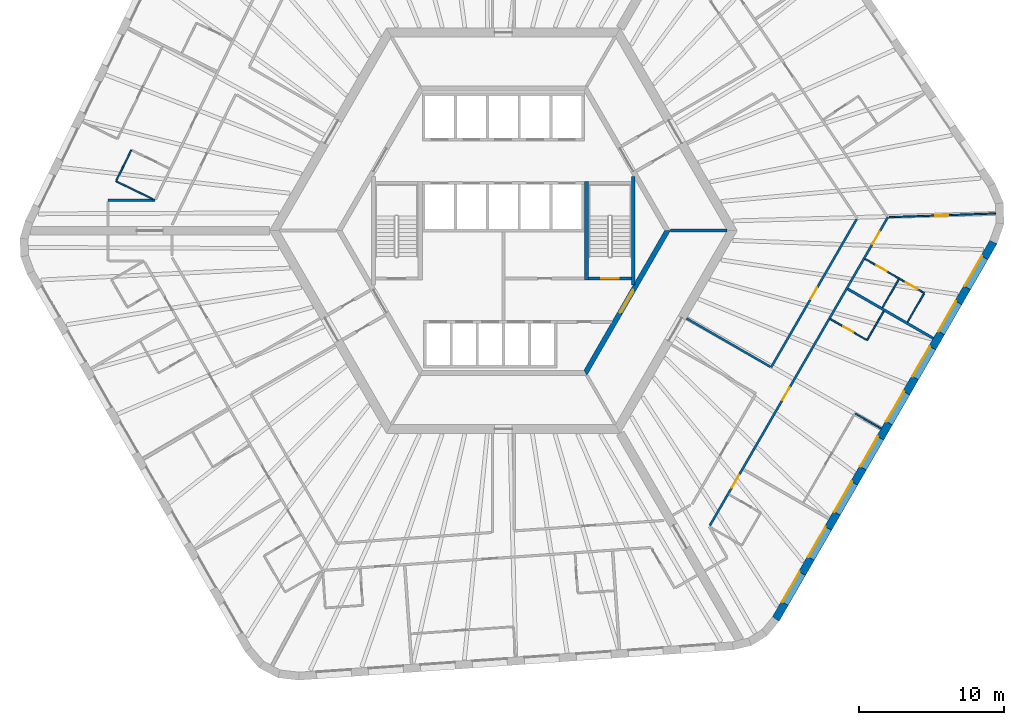
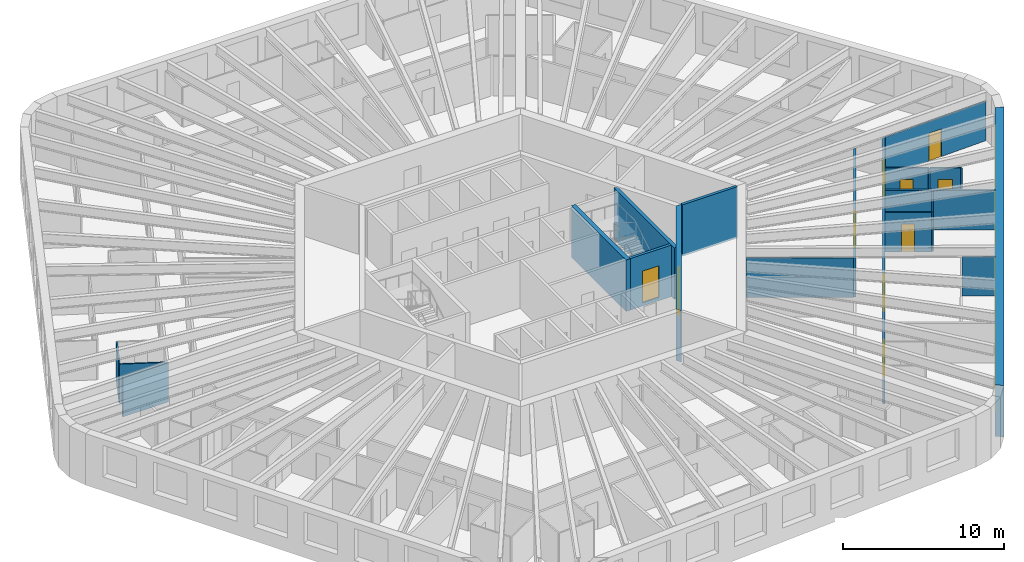
# One storey, part 6 of 12: 21 walls, 10 doors, 8 windows, 18 openings.
"""IFC4 building model written with IfcOpenShell, lengths in metres."""

from ifc_helpers import new_model, si_unit, direction, frame, frame_2d, origin, place, context, subcontext, project, spatial, polyline, rectangle, outline, extrude, material, layer, layer_set, type_object, element, fill, save


model = new_model("IFC4")

# Units and contexts
model_context = context("Model", 3, precision=1e-05, world=origin(), true_north=direction((0.0, 1.0)))
body_context = subcontext(model_context, "Body", "Model", "MODEL_VIEW")
ifc_project = project(units=[si_unit("LENGTHUNIT", "METRE"), si_unit("AREAUNIT", "SQUARE_METRE"), si_unit("VOLUMEUNIT", "CUBIC_METRE"), si_unit("PLANEANGLEUNIT", "RADIAN"), si_unit("MASSUNIT", "GRAM", prefix="KILO")], contexts=[model_context])

# Site, building, storey
site_placement = place(None, origin())
site = spatial("IfcSite", under=ifc_project, at=site_placement, CompositionType="ELEMENT")
building_placement = place(site_placement, origin())
building = spatial("IfcBuilding", under=site, at=building_placement, Name="Tarnside Tower", CompositionType="ELEMENT")
storey_placement = place(building_placement, frame((0.0, 0.0, 57.0)))
storey = spatial("IfcBuildingStorey", under=building, at=storey_placement, Name="L11", CompositionType="ELEMENT", Elevation=57.0)

# Walls
ifc_material_1 = material(Name="Gypsum board partition on steel studs", Category="steel")
ifc_layer_1 = layer(ifc_material_1, 0.10009765625)
ifc_layer_set_1 = layer_set([ifc_layer_1], Name="Bathroom wall 100")
wall_type_1 = type_object("IfcWallType", Name="Bathroom wall 100", PredefinedType="PARTITIONING", material=ifc_layer_set_1)
wall_1_placement = place(storey_placement, frame((-24.21875, 2.175048828125, 0.0), z_axis=(0.0, 0.0, 1.0), x_axis=(-0.898802451516, 0.438353913122, 0.0)))
element("IfcWall", 1, at=wall_1_placement, inside=storey, type_object=wall_type_1, Name="Bathroom wall 02096", PredefinedType="PARTITIONING", context=body_context, shape_type="SweptSolid", body=[
    extrude(rectangle(XDim=2.828857421875, YDim=0.10009765625, at=frame_2d((1.41455078125, 0.0))), origin(), (0.0, 0.0, 1.0), 2.98779296875),
])
wall_2_placement = place(storey_placement, frame((-26.739501953125, 3.4599609375, 0.0), z_axis=(0.0, 0.0, 1.0), x_axis=(0.438382697704, 0.89878841245, 0.0)))
element("IfcWall", 2, at=wall_2_placement, inside=storey, type_object=wall_type_1, Name="Bathroom wall 02097", PredefinedType="PARTITIONING", context=body_context, shape_type="SweptSolid", body=[
    extrude(rectangle(XDim=2.35009765625, YDim=0.10009765625, at=frame_2d((1.175048828125, 0.0))), origin(), (0.0, 0.0, 1.0), 2.98779296875),
])
wall_3_placement = place(storey_placement, frame((26.28759765625, -5.56884765625, 0.0), z_axis=(0.0, 0.0, 1.0), x_axis=(-0.500015210774, -0.866016621662, 0.0)))
element("IfcWall", 3, at=wall_3_placement, inside=storey, type_object=wall_type_1, Name="Bathroom wall 02133", PredefinedType="PARTITIONING", context=body_context, shape_type="SweptSolid", body=[
    extrude(rectangle(XDim=2.31005859375, YDim=0.10009765625, at=frame_2d((1.155029296875, 0.0))), origin(), (0.0, 0.0, 1.0), 2.98779296875),
])

# Wall, opening, door
wall_4_placement = place(storey_placement, frame((25.089111328125, -7.544189453125, 0.0), z_axis=(0.0, 0.0, 1.0), x_axis=(-0.866018712932, 0.500011588718, 0.0)))
wall_4 = element("IfcWall", 4, at=wall_4_placement, inside=storey, type_object=wall_type_1, Name="Bathroom wall 02134", PredefinedType="PARTITIONING", context=body_context, shape_type="SweptSolid", body=[
    extrude(rectangle(XDim=2.875, YDim=0.10009765625, at=frame_2d((1.4375, 0.0))), origin(), (0.0, 0.0, 1.0), 2.98779296875),
])
opening_1_placement = place(wall_4_placement, frame((1.050048828125, 0.0, 0.0)))
opening_1 = element("IfcOpeningElement", 5, at=opening_1_placement, cuts=wall_4, Name="Opening D-B1", PredefinedType="OPENING", context=body_context, shape_type="SweptSolid", body=[
    extrude(rectangle(XDim=0.800048828125, YDim=2.10009765625, at=frame_2d((0.39990234375, 1.050048828125))), frame((0.0, 0.06005859375, 0.0), z_axis=(0.0, -1.0, 0.0), x_axis=(1.0, 0.0, 0.0)), (0.0, 0.0, 1.0), 0.1201171875),
])
ifc_material_2 = material(Name="Timber door leaf", Category="wood")
door_type_1 = type_object("IfcDoorType", Name="Bathroom door 800", OperationType="NOTDEFINED", PredefinedType="DOOR", material=ifc_material_2)
door_1_placement = place(opening_1_placement, origin())
door_1 = element("IfcDoor", 6, at=door_1_placement, inside=storey, type_object=door_type_1, Name="Bathroom door 02031", OperationType="SINGLE_SWING_LEFT", OverallHeight=2.10009765625, OverallWidth=0.800048828125, PredefinedType="DOOR", context=body_context, shape_type="SweptSolid", body=[
    extrude(rectangle(XDim=0.800048828125, YDim=2.10009765625, at=frame_2d((0.39990234375, 1.050048828125))), frame((0.0, 0.02490234375, 0.0), z_axis=(0.0, -1.0, 0.0), x_axis=(1.0, 0.0, 0.0)), (0.0, 0.0, 1.0), 0.050048828125),
])
fill(opening_1, door_1)

wall_5_placement = place(storey_placement, frame((24.999267578125, -1.949951171875, 0.0), z_axis=(0.0, 0.0, 1.0), x_axis=(0.866073700213, -0.499916338801, 0.0)))
wall_5 = element("IfcWall", 7, at=wall_5_placement, inside=storey, type_object=wall_type_1, Name="Bathroom wall 02141", PredefinedType="PARTITIONING", context=body_context, shape_type="SweptSolid", body=[
    extrude(rectangle(XDim=2.72509765625, YDim=0.10009765625, at=frame_2d((1.362548828125, 0.0))), origin(), (0.0, 0.0, 1.0), 2.98779296875),
])
opening_2_placement = place(wall_5_placement, frame((0.925048828125, 0.0, 0.0)))
opening_2 = element("IfcOpeningElement", 8, at=opening_2_placement, cuts=wall_5, Name="Opening D-B1", PredefinedType="OPENING", context=body_context, shape_type="SweptSolid", body=[
    extrude(rectangle(XDim=0.800048828125, YDim=2.10009765625, at=frame_2d((0.39990234375, 1.050048828125))), frame((0.0, 0.06005859375, 0.0), z_axis=(0.0, -1.0, 0.0), x_axis=(1.0, 0.0, 0.0)), (0.0, 0.0, 1.0), 0.1201171875),
])
door_2_placement = place(opening_2_placement, origin())
door_2 = element("IfcDoor", 9, at=door_2_placement, inside=storey, type_object=door_type_1, Name="Bathroom door 02034", OperationType="SINGLE_SWING_RIGHT", OverallHeight=2.10009765625, OverallWidth=0.800048828125, PredefinedType="DOOR", context=body_context, shape_type="SweptSolid", body=[
    extrude(rectangle(XDim=0.800048828125, YDim=2.10009765625, at=frame_2d((0.39990234375, 1.050048828125))), frame((0.0, 0.02490234375, 0.0), z_axis=(0.0, -1.0, 0.0), x_axis=(1.0, 0.0, 0.0)), (0.0, 0.0, 1.0), 0.050048828125),
])
fill(opening_2, door_2)

# Wall
wall_6_placement = place(storey_placement, frame((26.204345703125, -5.31298828125, 0.0), z_axis=(0.0, 0.0, 1.0), x_axis=(0.49995000081, 0.866054268906, 0.0)))
element("IfcWall", 10, at=wall_6_placement, inside=storey, type_object=wall_type_1, Name="Bathroom wall 02145", PredefinedType="PARTITIONING", context=body_context, shape_type="SweptSolid", body=[
    extrude(rectangle(XDim=2.260009765625, YDim=0.10009765625, at=frame_2d((1.1298828125, 0.0))), origin(), (0.0, 0.0, 1.0), 2.98779296875),
])

# Wall, opening, door
ifc_material_3 = material(Name="Concrete C50/60", Category="concrete")
ifc_layer_2 = layer(ifc_material_3, 0.35009765625)
ifc_layer_set_2 = layer_set([ifc_layer_2], Name="Core block wall 350 C50/60")
wall_type_2 = type_object("IfcWallType", Name="Core block wall 350 C50/60", PredefinedType="SHEAR", material=ifc_layer_set_2)
wall_7_placement = place(storey_placement, frame((5.672607421875, -9.824951171875, -0.14990234375), z_axis=(0.0, 0.0, 1.0), x_axis=(0.499995046907, 0.866028263435, 0.0)))
wall_7 = element("IfcWall", 11, at=wall_7_placement, inside=storey, type_object=wall_type_2, Name="L11 core block wall face 5", PredefinedType="SHEAR", context=body_context, shape_type="SweptSolid", body=[
    extrude(outline(polyline([(-0.10107421875, -0.175048828125), (11.44580078125, -0.175048828125), (11.24365234375, 0.175048828125), (0.10107421875, 0.175048828125), (-0.10107421875, -0.175048828125)])), origin(), (0.0, 0.0, 1.0), 3.89990234375),
])
opening_3_placement = place(wall_7_placement, frame((4.80126953125, 0.0, 0.14990234375)))
opening_3 = element("IfcOpeningElement", 12, at=opening_3_placement, cuts=wall_7, Name="Opening CD-FFL", PredefinedType="OPENING", context=body_context, shape_type="SweptSolid", body=[
    extrude(rectangle(XDim=1.800048828125, YDim=2.39990234375, at=frame_2d((0.89990234375, 1.199951171875))), frame((0.0, 0.18505859375, 0.0), z_axis=(0.0, -1.0, 0.0), x_axis=(1.0, 0.0, 0.0)), (0.0, 0.0, 1.0), 0.3701171875),
])
ifc_material_4 = material(Name="Steel fire door", Category="steel")
door_type_2 = type_object("IfcDoorType", Name="Firefighting lobby double door FD60S 1800x2400", OperationType="NOTDEFINED", PredefinedType="DOOR", material=ifc_material_4)
door_3_placement = place(opening_3_placement, origin())
door_3 = element("IfcDoor", 13, at=door_3_placement, inside=storey, type_object=door_type_2, Name="L11 lobby block door P4", OperationType="DOUBLE_DOOR_SINGLE_SWING", OverallHeight=2.39990234375, OverallWidth=1.800048828125, PredefinedType="DOOR", context=body_context, shape_type="SweptSolid", body=[
    extrude(rectangle(XDim=1.800048828125, YDim=2.39990234375, at=frame_2d((0.89990234375, 1.199951171875))), frame((0.0, 0.02490234375, 0.0), z_axis=(0.0, -1.0, 0.0), x_axis=(1.0, 0.0, 0.0)), (0.0, 0.0, 1.0), 0.050048828125),
])
fill(opening_3, door_3)

# Wall
ifc_layer_3 = layer(ifc_material_1, 0.14990234375)
ifc_layer_set_3 = layer_set([ifc_layer_3], Name="Corridor wall 150 EI 60")
wall_type_3 = type_object("IfcWallType", Name="Corridor wall 150 EI 60", PredefinedType="PARTITIONING", material=ifc_layer_set_3)
wall_8_placement = place(storey_placement, frame((-24.06494140625, 2.10009765625, 0.0), z_axis=(0.0, 0.0, 1.0), x_axis=(-1.0, 0.0, 0.0)))
element("IfcWall", 14, at=wall_8_placement, inside=storey, type_object=wall_type_3, Name="Corridor wall 02009", PredefinedType="PARTITIONING", context=body_context, shape_type="SweptSolid", body=[
    extrude(rectangle(XDim=3.25537109375, YDim=0.14990234375, at=frame_2d((1.627685546875, 0.0))), origin(), (0.0, 0.0, 1.0), 2.98779296875),
])

# Wall, openings, doors
wall_9_placement = place(storey_placement, frame((14.27490234375, -20.375, 0.0), z_axis=(0.0, 0.0, 1.0), x_axis=(0.500001098408, 0.866024769617, 0.0)))
wall_9 = element("IfcWall", 15, at=wall_9_placement, inside=storey, type_object=wall_type_3, Name="Corridor wall 02050", PredefinedType="PARTITIONING", context=body_context, shape_type="SweptSolid", body=[
    extrude(rectangle(XDim=24.5986328125, YDim=0.14990234375, at=frame_2d((12.29931640625, 0.0))), origin(), (0.0, 0.0, 1.0), 2.98779296875),
])
opening_4_placement = place(wall_9_placement, frame((3.01611328125, 0.0, 0.0)))
opening_4 = element("IfcOpeningElement", 16, at=opening_4_placement, cuts=wall_9, Name="Opening D-E1", PredefinedType="OPENING", context=body_context, shape_type="SweptSolid", body=[
    extrude(rectangle(XDim=1.0, YDim=2.10009765625, at=frame_2d((0.5, 1.050048828125))), frame((0.0, 0.0849609375, 0.0), z_axis=(0.0, -1.0, 0.0), x_axis=(1.0, 0.0, 0.0)), (0.0, 0.0, 1.0), 0.169921875),
])
opening_5_placement = place(wall_9_placement, frame((10.018798828125, 0.0, 0.0)))
opening_5 = element("IfcOpeningElement", 17, at=opening_5_placement, cuts=wall_9, Name="Opening D-E1", PredefinedType="OPENING", context=body_context, shape_type="SweptSolid", body=[
    extrude(rectangle(XDim=1.0, YDim=2.10009765625, at=frame_2d((0.5, 1.050048828125))), frame((0.0, 0.0849609375, 0.0), z_axis=(0.0, -1.0, 0.0), x_axis=(1.0, 0.0, 0.0)), (0.0, 0.0, 1.0), 0.169921875),
])
opening_6_placement = place(wall_9_placement, frame((22.458740234375, 0.0, 0.0)))
opening_6 = element("IfcOpeningElement", 18, at=opening_6_placement, cuts=wall_9, Name="Opening D-E1", PredefinedType="OPENING", context=body_context, shape_type="SweptSolid", body=[
    extrude(rectangle(XDim=1.0, YDim=2.10009765625, at=frame_2d((0.5, 1.050048828125))), frame((0.0, 0.0849609375, 0.0), z_axis=(0.0, -1.0, 0.0), x_axis=(1.0, 0.0, 0.0)), (0.0, 0.0, 1.0), 0.169921875),
])
door_type_3 = type_object("IfcDoorType", Name="Unit entrance door 1000 FD30S", OperationType="NOTDEFINED", PredefinedType="DOOR", material=ifc_material_2)
door_4_placement = place(opening_4_placement, origin())
door_4 = element("IfcDoor", 19, at=door_4_placement, inside=storey, type_object=door_type_3, Name="Unit door 02028", OperationType="SINGLE_SWING_RIGHT", OverallHeight=2.10009765625, OverallWidth=1.0, PredefinedType="DOOR", context=body_context, shape_type="SweptSolid", body=[
    extrude(rectangle(XDim=1.0, YDim=2.10009765625, at=frame_2d((0.5, 1.050048828125))), frame((0.0, 0.02490234375, 0.0), z_axis=(0.0, -1.0, 0.0), x_axis=(1.0, 0.0, 0.0)), (0.0, 0.0, 1.0), 0.050048828125),
])
fill(opening_4, door_4)
door_5_placement = place(opening_5_placement, origin())
door_5 = element("IfcDoor", 20, at=door_5_placement, inside=storey, type_object=door_type_3, Name="Unit door 02030", OperationType="SINGLE_SWING_LEFT", OverallHeight=2.10009765625, OverallWidth=1.0, PredefinedType="DOOR", context=body_context, shape_type="SweptSolid", body=[
    extrude(rectangle(XDim=1.0, YDim=2.10009765625, at=frame_2d((0.5, 1.050048828125))), frame((0.0, 0.02490234375, 0.0), z_axis=(0.0, -1.0, 0.0), x_axis=(1.0, 0.0, 0.0)), (0.0, 0.0, 1.0), 0.050048828125),
])
fill(opening_5, door_5)
door_6_placement = place(opening_6_placement, origin())
door_6 = element("IfcDoor", 21, at=door_6_placement, inside=storey, type_object=door_type_3, Name="Unit door 02033", OperationType="SINGLE_SWING_LEFT", OverallHeight=2.10009765625, OverallWidth=1.0, PredefinedType="DOOR", context=body_context, shape_type="SweptSolid", body=[
    extrude(rectangle(XDim=1.0, YDim=2.10009765625, at=frame_2d((0.5, 1.050048828125))), frame((0.0, 0.02490234375, 0.0), z_axis=(0.0, -1.0, 0.0), x_axis=(1.0, 0.0, 0.0)), (0.0, 0.0, 1.0), 0.050048828125),
])
fill(opening_6, door_6)

# Wall, opening, door
wall_10_placement = place(storey_placement, frame((24.411376953125, 0.78173828125, 0.0), z_axis=(0.0, 0.0, 1.0), x_axis=(-0.499996383721, -0.866027491634, 0.0)))
wall_10 = element("IfcWall", 22, at=wall_10_placement, inside=storey, type_object=wall_type_3, Name="Corridor wall 02065", PredefinedType="PARTITIONING", context=body_context, shape_type="SweptSolid", body=[
    extrude(rectangle(XDim=11.8037109375, YDim=0.14990234375, at=frame_2d((5.90185546875, 0.0))), origin(), (0.0, 0.0, 1.0), 2.98779296875),
])
opening_7_placement = place(wall_10_placement, frame((5.451904296875, 0.0, 0.0)))
opening_7 = element("IfcOpeningElement", 23, at=opening_7_placement, cuts=wall_10, Name="Opening D-S1", PredefinedType="OPENING", context=body_context, shape_type="SweptSolid", body=[
    extrude(rectangle(XDim=0.89990234375, YDim=2.10009765625, at=frame_2d((0.449951171875, 1.050048828125))), frame((0.0, 0.0849609375, 0.0), z_axis=(0.0, -1.0, 0.0), x_axis=(1.0, 0.0, 0.0)), (0.0, 0.0, 1.0), 0.169921875),
])
door_type_4 = type_object("IfcDoorType", Name="Service room door 900 FD30S", OperationType="NOTDEFINED", PredefinedType="DOOR", material=ifc_material_2)
door_7_placement = place(opening_7_placement, origin())
door_7 = element("IfcDoor", 24, at=door_7_placement, inside=storey, type_object=door_type_4, Name="Service door 02047", OperationType="SINGLE_SWING_RIGHT", OverallHeight=2.10009765625, OverallWidth=0.89990234375, PredefinedType="DOOR", context=body_context, shape_type="SweptSolid", body=[
    extrude(rectangle(XDim=0.89990234375, YDim=2.10009765625, at=frame_2d((0.449951171875, 1.050048828125))), frame((0.0, 0.02490234375, 0.0), z_axis=(0.0, -1.0, 0.0), x_axis=(1.0, 0.0, 0.0)), (0.0, 0.0, 1.0), 0.050048828125),
])
fill(opening_7, door_7)

# Walls
wall_11_placement = place(storey_placement, frame((18.444580078125, -9.403076171875, 0.0), z_axis=(0.0, 0.0, 1.0), x_axis=(-0.866033317326, 0.499986293093, 0.0)))
element("IfcWall", 25, at=wall_11_placement, inside=storey, type_object=wall_type_3, Name="Corridor wall 02066", PredefinedType="PARTITIONING", context=body_context, shape_type="SweptSolid", body=[
    extrude(rectangle(XDim=6.675048828125, YDim=0.14990234375, at=frame_2d((3.33740234375, 0.0))), origin(), (0.0, 0.0, 1.0), 2.98779296875),
])
ifc_layer_4 = layer(ifc_material_1, 0.179931640625)
ifc_layer_set_4 = layer_set([ifc_layer_4], Name="Demising wall 180 EI 60")
wall_type_4 = type_object("IfcWallType", Name="Demising wall 180 EI 60", PredefinedType="PARTITIONING", material=ifc_layer_set_4)
wall_12_placement = place(storey_placement, frame((29.7099609375, -7.44091796875, 0.0), z_axis=(0.0, 0.0, 1.0), x_axis=(-0.866019982719, 0.500009389444, 0.0)))
element("IfcWall", 26, at=wall_12_placement, inside=storey, type_object=wall_type_4, Name="Demising wall 02137", PredefinedType="PARTITIONING", context=body_context, shape_type="SweptSolid", body=[
    extrude(rectangle(XDim=6.824951171875, YDim=0.179931640625, at=frame_2d((3.41259765625, 0.0))), origin(), (0.0, 0.0, 1.0), 2.98779296875),
])
ifc_material_5 = material(Name="Concrete C40/50", Category="concrete")
ifc_layer_5 = layer(ifc_material_5, 0.199951171875)
ifc_layer_set_5 = layer_set([ifc_layer_5], Name="Lift shaft wall 200 C40/50")
wall_type_5 = type_object("IfcWallType", Name="Lift shaft wall 200 C40/50", PredefinedType="SHEAR", material=ifc_layer_set_5)
wall_13_placement = place(storey_placement, frame((11.547119140625, 0.0, -0.14990234375), z_axis=(0.0, 0.0, 1.0), x_axis=(1.0, 0.0, 0.0)))
element("IfcWall", 27, at=wall_13_placement, inside=storey, type_object=wall_type_5, Name="L11 core partition AR0", PredefinedType="SHEAR", context=body_context, shape_type="SweptSolid", body=[
    extrude(rectangle(XDim=3.92578125, YDim=0.199951171875, at=frame_2d((1.962890625, 0.0))), origin(), (0.0, 0.0, 1.0), 3.89990234375),
])

# Wall, opening, door
wall_14_placement = place(storey_placement, frame((5.89990234375, -3.300048828125, -0.25), z_axis=(0.0, 0.0, 1.0), x_axis=(1.0, 0.0, 0.0)))
wall_14 = element("IfcWall", 28, at=wall_14_placement, inside=storey, type_object=wall_type_5, Name="L11 stair 1 enclosure cap wall s", PredefinedType="SHEAR", context=body_context, shape_type="SweptSolid", body=[
    extrude(rectangle(XDim=2.9501953125, YDim=0.199951171875, at=frame_2d((1.47509765625, 0.0))), origin(), (0.0, 0.0, 1.0), 3.89990234375),
])
opening_8_placement = place(wall_14_placement, frame((0.875, 0.0, 0.25)))
opening_8 = element("IfcOpeningElement", 29, at=opening_8_placement, cuts=wall_14, Name="Opening CD-STR", PredefinedType="OPENING", context=body_context, shape_type="SweptSolid", body=[
    extrude(rectangle(XDim=1.199951171875, YDim=2.39990234375, at=frame_2d((0.60009765625, 1.199951171875))), frame((0.0, 0.10986328125, 0.0), z_axis=(0.0, -1.0, 0.0), x_axis=(1.0, 0.0, 0.0)), (0.0, 0.0, 1.0), 0.219970703125),
])
door_type_5 = type_object("IfcDoorType", Name="Stair door FD60S 1200x2400", OperationType="NOTDEFINED", PredefinedType="DOOR", material=ifc_material_4)
door_8_placement = place(opening_8_placement, origin())
door_8 = element("IfcDoor", 30, at=door_8_placement, inside=storey, type_object=door_type_5, Name="L11 stair 1 door", OperationType="SINGLE_SWING_LEFT", OverallHeight=2.39990234375, OverallWidth=1.199951171875, PredefinedType="DOOR", context=body_context, shape_type="SweptSolid", body=[
    extrude(rectangle(XDim=1.199951171875, YDim=2.39990234375, at=frame_2d((0.60009765625, 1.199951171875))), frame((0.0, 0.02490234375, 0.0), z_axis=(0.0, -1.0, 0.0), x_axis=(1.0, 0.0, 0.0)), (0.0, 0.0, 1.0), 0.050048828125),
])
fill(opening_8, door_8)

# Wall
ifc_layer_6 = layer(ifc_material_1, 0.10009765625)
ifc_layer_set_6 = layer_set([ifc_layer_6], Name="Partition 100")
wall_type_6 = type_object("IfcWallType", Name="Partition 100", PredefinedType="PARTITIONING", material=ifc_layer_set_6)
wall_15_placement = place(storey_placement, frame((24.334716796875, -12.651123046875, 0.0), z_axis=(0.0, 0.0, 1.0), x_axis=(0.865969381856, -0.500097020274, 0.0)))
element("IfcWall", 31, at=wall_15_placement, inside=storey, type_object=wall_type_6, Name="Partition wall 02136", PredefinedType="PARTITIONING", context=body_context, shape_type="SweptSolid", body=[
    extrude(rectangle(XDim=2.0498046875, YDim=0.10009765625, at=frame_2d((1.02490234375, 0.0))), origin(), (0.0, 0.0, 1.0), 2.98779296875),
])

# Wall, opening, door
wall_16_placement = place(storey_placement, frame((27.402587890625, -3.33740234375, 0.0), z_axis=(0.0, 0.0, 1.0), x_axis=(0.866054235095, -0.49995005938, 0.0)))
wall_16 = element("IfcWall", 32, at=wall_16_placement, inside=storey, type_object=wall_type_6, Name="Partition wall 02142", PredefinedType="PARTITIONING", context=body_context, shape_type="SweptSolid", body=[
    extrude(rectangle(XDim=1.949951171875, YDim=0.10009765625, at=frame_2d((0.97509765625, 0.0))), origin(), (0.0, 0.0, 1.0), 2.98779296875),
])
opening_9_placement = place(wall_16_placement, frame((0.5, 0.0, 0.0)))
opening_9 = element("IfcOpeningElement", 33, at=opening_9_placement, cuts=wall_16, Name="Opening D-I1", PredefinedType="OPENING", context=body_context, shape_type="SweptSolid", body=[
    extrude(rectangle(XDim=0.89990234375, YDim=2.10009765625, at=frame_2d((0.449951171875, 1.050048828125))), frame((0.0, 0.06005859375, 0.0), z_axis=(0.0, -1.0, 0.0), x_axis=(1.0, 0.0, 0.0)), (0.0, 0.0, 1.0), 0.1201171875),
])
door_type_6 = type_object("IfcDoorType", Name="Internal door 900", OperationType="NOTDEFINED", PredefinedType="DOOR", material=ifc_material_2)
door_9_placement = place(opening_9_placement, origin())
door_9 = element("IfcDoor", 34, at=door_9_placement, inside=storey, type_object=door_type_6, Name="Internal door 02035", OperationType="SINGLE_SWING_RIGHT", OverallHeight=2.10009765625, OverallWidth=0.89990234375, PredefinedType="DOOR", context=body_context, shape_type="SweptSolid", body=[
    extrude(rectangle(XDim=0.89990234375, YDim=2.10009765625, at=frame_2d((0.449951171875, 1.050048828125))), frame((0.0, 0.02490234375, 0.0), z_axis=(0.0, -1.0, 0.0), x_axis=(1.0, 0.0, 0.0)), (0.0, 0.0, 1.0), 0.050048828125),
])
fill(opening_9, door_9)

# Wall
wall_17_placement = place(storey_placement, frame((29.06640625, -4.355712890625, 0.0), z_axis=(0.0, 0.0, 1.0), x_axis=(-0.500031020067, -0.8660074936, 0.0)))
element("IfcWall", 35, at=wall_17_placement, inside=storey, type_object=wall_type_6, Name="Partition wall 02143", PredefinedType="PARTITIONING", context=body_context, shape_type="SweptSolid", body=[
    extrude(rectangle(XDim=2.260009765625, YDim=0.10009765625, at=frame_2d((1.1298828125, 0.0))), origin(), (0.0, 0.0, 1.0), 2.98779296875),
])

# Wall, opening, door
wall_18_placement = place(storey_placement, frame((34.0234375, 1.188232421875, 0.0), z_axis=(0.0, 0.0, 1.0), x_axis=(-0.999390666539, -0.034904091936, 0.0)))
wall_18 = element("IfcWall", 36, at=wall_18_placement, inside=storey, type_object=wall_type_6, Name="Partition wall 02144", PredefinedType="PARTITIONING", context=body_context, shape_type="SweptSolid", body=[
    extrude(rectangle(XDim=7.365234375, YDim=0.10009765625, at=frame_2d((3.6826171875, 0.0))), origin(), (0.0, 0.0, 1.0), 2.98779296875),
])
opening_10_placement = place(wall_18_placement, frame((3.27685546875, 0.0, 0.0)))
opening_10 = element("IfcOpeningElement", 37, at=opening_10_placement, cuts=wall_18, Name="Opening D-I1", PredefinedType="OPENING", context=body_context, shape_type="SweptSolid", body=[
    extrude(rectangle(XDim=0.89990234375, YDim=2.10009765625, at=frame_2d((0.449951171875, 1.050048828125))), frame((0.0, 0.06005859375, 0.0), z_axis=(0.0, -1.0, 0.0), x_axis=(1.0, 0.0, 0.0)), (0.0, 0.0, 1.0), 0.1201171875),
])
door_10_placement = place(opening_10_placement, origin())
door_10 = element("IfcDoor", 38, at=door_10_placement, inside=storey, type_object=door_type_6, Name="Internal door 02036", OperationType="SINGLE_SWING_LEFT", OverallHeight=2.10009765625, OverallWidth=0.89990234375, PredefinedType="DOOR", context=body_context, shape_type="SweptSolid", body=[
    extrude(rectangle(XDim=0.89990234375, YDim=2.10009765625, at=frame_2d((0.449951171875, 1.050048828125))), frame((0.0, 0.02490234375, 0.0), z_axis=(0.0, -1.0, 0.0), x_axis=(1.0, 0.0, 0.0)), (0.0, 0.0, 1.0), 0.050048828125),
])
fill(opening_10, door_10)

# Walls
ifc_layer_7 = layer(ifc_material_5, 0.25)
ifc_layer_set_7 = layer_set([ifc_layer_7], Name="Stair enclosure wall 250 C40/50")
wall_type_7 = type_object("IfcWallType", Name="Stair enclosure wall 250 C40/50", PredefinedType="SHEAR", material=ifc_layer_set_7)
wall_19_placement = place(storey_placement, frame((8.97509765625, -3.7548828125, -0.25), z_axis=(0.0, 0.0, 1.0), x_axis=(0.0, 1.0, 0.0)))
element("IfcWall", 39, at=wall_19_placement, inside=storey, type_object=wall_type_7, Name="L11 stair 1 enclosure wall outer", PredefinedType="SHEAR", context=body_context, shape_type="SweptSolid", body=[
    extrude(rectangle(XDim=7.509765625, YDim=0.25, at=frame_2d((3.7548828125, 0.0))), origin(), (0.0, 0.0, 1.0), 3.89990234375),
])
ifc_layer_8 = layer(ifc_material_5, 0.300048828125)
ifc_layer_set_8 = layer_set([ifc_layer_8], Name="Stair enclosure wall 300 C40/50")
wall_type_8 = type_object("IfcWallType", Name="Stair enclosure wall 300 C40/50", PredefinedType="SHEAR", material=ifc_layer_set_8)
wall_20_placement = place(storey_placement, frame((5.75, -3.39990234375, -0.25), z_axis=(0.0, 0.0, 1.0), x_axis=(0.0, 1.0, 0.0)))
element("IfcWall", 40, at=wall_20_placement, inside=storey, type_object=wall_type_8, Name="L11 stair 1 enclosure wall inner", PredefinedType="SHEAR", context=body_context, shape_type="SweptSolid", body=[
    extrude(rectangle(XDim=6.7998046875, YDim=0.300048828125, at=frame_2d((3.39990234375, 0.0))), origin(), (0.0, 0.0, 1.0), 3.89990234375),
])

# Wall, openings, windows
ifc_material_6 = material(Name="Facing brick", Category="masonry")
ifc_layer_9 = layer(ifc_material_6, 0.10205078125)
ifc_material_7 = material(Name="Concrete C60/75 precast", Category="concrete")
ifc_layer_10 = layer(ifc_material_7, 0.347900390625)
ifc_material_8 = material(Name="Mineral wool insulation")
ifc_layer_11 = layer(ifc_material_8, 0.10009765625)
ifc_layer_set_9 = layer_set([ifc_layer_9, ifc_layer_10, ifc_layer_11], Name="Tube wall 550 brick faced")
wall_type_9 = type_object("IfcWallType", Name="Tube wall 550 brick faced", PredefinedType="SOLIDWALL", material=ifc_layer_set_9)
wall_21_placement = place(storey_placement, frame((18.830322265625, -26.834716796875, -0.14990234375), z_axis=(0.0, 0.0, 1.0), x_axis=(0.500003800416, 0.866023209602, 0.0)))
wall_21 = element("IfcWall", 41, at=wall_21_placement, inside=storey, type_object=wall_type_9, Name="Tube wall L11 F5 flush 16", PredefinedType="SOLIDWALL", context=body_context, shape_type="SweptSolid", body=[
    extrude(outline(polyline([(-0.0224609375, -0.27490234375), (30.0966796875, -0.27490234375), (30.04541015625, 0.27490234375), (0.0224609375, 0.27490234375), (-0.0224609375, -0.27490234375)])), origin(), (0.0, 0.0, 1.0), 3.89990234375),
])
opening_11_placement = place(wall_21_placement, frame((1.235595703125, 0.0, 1.050048828125)))
opening_11 = element("IfcOpeningElement", 42, at=opening_11_placement, cuts=wall_21, Name="Opening WH", PredefinedType="OPENING", context=body_context, shape_type="SweptSolid", body=[
    extrude(rectangle(XDim=2.39990234375, YDim=2.39990234375, at=frame_2d((1.199951171875, 1.199951171875))), frame((0.0, 0.28515625, 0.0), z_axis=(0.0, -1.0, 0.0), x_axis=(1.0, 0.0, 0.0)), (0.0, 0.0, 1.0), 0.570068359375),
])
opening_12_placement = place(wall_21_placement, frame((4.83544921875, 0.0, 1.050048828125)))
opening_12 = element("IfcOpeningElement", 43, at=opening_12_placement, cuts=wall_21, Name="Opening WH", PredefinedType="OPENING", context=body_context, shape_type="SweptSolid", body=[
    extrude(rectangle(XDim=2.39990234375, YDim=2.39990234375, at=frame_2d((1.199951171875, 1.199951171875))), frame((0.0, 0.28515625, 0.0), z_axis=(0.0, -1.0, 0.0), x_axis=(1.0, 0.0, 0.0)), (0.0, 0.0, 1.0), 0.570068359375),
])
opening_13_placement = place(wall_21_placement, frame((8.435546875, 0.0, 1.050048828125)))
opening_13 = element("IfcOpeningElement", 44, at=opening_13_placement, cuts=wall_21, Name="Opening WH", PredefinedType="OPENING", context=body_context, shape_type="SweptSolid", body=[
    extrude(rectangle(XDim=2.39990234375, YDim=2.39990234375, at=frame_2d((1.199951171875, 1.199951171875))), frame((0.0, 0.28515625, 0.0), z_axis=(0.0, -1.0, 0.0), x_axis=(1.0, 0.0, 0.0)), (0.0, 0.0, 1.0), 0.570068359375),
])
opening_14_placement = place(wall_21_placement, frame((12.035400390625, 0.0, 1.050048828125)))
opening_14 = element("IfcOpeningElement", 45, at=opening_14_placement, cuts=wall_21, Name="Opening WH", PredefinedType="OPENING", context=body_context, shape_type="SweptSolid", body=[
    extrude(rectangle(XDim=2.39990234375, YDim=2.39990234375, at=frame_2d((1.199951171875, 1.199951171875))), frame((0.0, 0.28515625, 0.0), z_axis=(0.0, -1.0, 0.0), x_axis=(1.0, 0.0, 0.0)), (0.0, 0.0, 1.0), 0.570068359375),
])
opening_15_placement = place(wall_21_placement, frame((15.635498046875, 0.0, 1.050048828125)))
opening_15 = element("IfcOpeningElement", 46, at=opening_15_placement, cuts=wall_21, Name="Opening WH", PredefinedType="OPENING", context=body_context, shape_type="SweptSolid", body=[
    extrude(rectangle(XDim=2.39990234375, YDim=2.39990234375, at=frame_2d((1.199951171875, 1.199951171875))), frame((0.0, 0.28515625, 0.0), z_axis=(0.0, -1.0, 0.0), x_axis=(1.0, 0.0, 0.0)), (0.0, 0.0, 1.0), 0.570068359375),
])
opening_16_placement = place(wall_21_placement, frame((19.235595703125, 0.0, 1.050048828125)))
opening_16 = element("IfcOpeningElement", 47, at=opening_16_placement, cuts=wall_21, Name="Opening WH", PredefinedType="OPENING", context=body_context, shape_type="SweptSolid", body=[
    extrude(rectangle(XDim=2.39990234375, YDim=2.39990234375, at=frame_2d((1.199951171875, 1.199951171875))), frame((0.0, 0.28515625, 0.0), z_axis=(0.0, -1.0, 0.0), x_axis=(1.0, 0.0, 0.0)), (0.0, 0.0, 1.0), 0.570068359375),
])
opening_17_placement = place(wall_21_placement, frame((22.83544921875, 0.0, 1.050048828125)))
opening_17 = element("IfcOpeningElement", 48, at=opening_17_placement, cuts=wall_21, Name="Opening WH", PredefinedType="OPENING", context=body_context, shape_type="SweptSolid", body=[
    extrude(rectangle(XDim=2.39990234375, YDim=2.39990234375, at=frame_2d((1.199951171875, 1.199951171875))), frame((0.0, 0.28515625, 0.0), z_axis=(0.0, -1.0, 0.0), x_axis=(1.0, 0.0, 0.0)), (0.0, 0.0, 1.0), 0.570068359375),
])
opening_18_placement = place(wall_21_placement, frame((26.435546875, 0.0, 1.050048828125)))
opening_18 = element("IfcOpeningElement", 49, at=opening_18_placement, cuts=wall_21, Name="Opening WH", PredefinedType="OPENING", context=body_context, shape_type="SweptSolid", body=[
    extrude(rectangle(XDim=2.39990234375, YDim=2.39990234375, at=frame_2d((1.199951171875, 1.199951171875))), frame((0.0, 0.28515625, 0.0), z_axis=(0.0, -1.0, 0.0), x_axis=(1.0, 0.0, 0.0)), (0.0, 0.0, 1.0), 0.570068359375),
])
ifc_material_9 = material(Name="Aluminium-framed double glazing", Category="aluminium")
window_type = type_object("IfcWindowType", Name="Hotel window 2400 x 2400", PartitioningType="DOUBLE_PANEL_VERTICAL", PredefinedType="WINDOW", material=ifc_material_9)
window_1_placement = place(opening_11_placement, frame((0.0, 0.205078125, 0.0)))
window_1 = element("IfcWindow", 50, at=window_1_placement, inside=storey, type_object=window_type, Name="E.WN.L11.F5.00", OverallHeight=2.39990234375, OverallWidth=2.39990234375, PartitioningType="DOUBLE_PANEL_VERTICAL", PredefinedType="WINDOW", context=body_context, shape_type="SweptSolid", body=[
    extrude(rectangle(XDim=2.39990234375, YDim=2.39990234375, at=frame_2d((1.199951171875, 1.199951171875))), frame((0.0, 0.030029296875, 0.0), z_axis=(0.0, -1.0, 0.0), x_axis=(1.0, 0.0, 0.0)), (0.0, 0.0, 1.0), 0.06005859375),
])
fill(opening_11, window_1)
window_2_placement = place(opening_12_placement, frame((0.0, 0.205078125, 0.0)))
window_2 = element("IfcWindow", 51, at=window_2_placement, inside=storey, type_object=window_type, Name="E.WN.L11.F5.01", OverallHeight=2.39990234375, OverallWidth=2.39990234375, PartitioningType="DOUBLE_PANEL_VERTICAL", PredefinedType="WINDOW", context=body_context, shape_type="SweptSolid", body=[
    extrude(rectangle(XDim=2.39990234375, YDim=2.39990234375, at=frame_2d((1.199951171875, 1.199951171875))), frame((0.0, 0.030029296875, 0.0), z_axis=(0.0, -1.0, 0.0), x_axis=(1.0, 0.0, 0.0)), (0.0, 0.0, 1.0), 0.06005859375),
])
fill(opening_12, window_2)
window_3_placement = place(opening_13_placement, frame((0.0, 0.205078125, 0.0)))
window_3 = element("IfcWindow", 52, at=window_3_placement, inside=storey, type_object=window_type, Name="E.WN.L11.F5.02", OverallHeight=2.39990234375, OverallWidth=2.39990234375, PartitioningType="DOUBLE_PANEL_VERTICAL", PredefinedType="WINDOW", context=body_context, shape_type="SweptSolid", body=[
    extrude(rectangle(XDim=2.39990234375, YDim=2.39990234375, at=frame_2d((1.199951171875, 1.199951171875))), frame((0.0, 0.030029296875, 0.0), z_axis=(0.0, -1.0, 0.0), x_axis=(1.0, 0.0, 0.0)), (0.0, 0.0, 1.0), 0.06005859375),
])
fill(opening_13, window_3)
window_4_placement = place(opening_14_placement, frame((0.0, 0.205078125, 0.0)))
window_4 = element("IfcWindow", 53, at=window_4_placement, inside=storey, type_object=window_type, Name="E.WN.L11.F5.03", OverallHeight=2.39990234375, OverallWidth=2.39990234375, PartitioningType="DOUBLE_PANEL_VERTICAL", PredefinedType="WINDOW", context=body_context, shape_type="SweptSolid", body=[
    extrude(rectangle(XDim=2.39990234375, YDim=2.39990234375, at=frame_2d((1.199951171875, 1.199951171875))), frame((0.0, 0.030029296875, 0.0), z_axis=(0.0, -1.0, 0.0), x_axis=(1.0, 0.0, 0.0)), (0.0, 0.0, 1.0), 0.06005859375),
])
fill(opening_14, window_4)
window_5_placement = place(opening_15_placement, frame((0.0, 0.205078125, 0.0)))
window_5 = element("IfcWindow", 54, at=window_5_placement, inside=storey, type_object=window_type, Name="E.WN.L11.F5.04", OverallHeight=2.39990234375, OverallWidth=2.39990234375, PartitioningType="DOUBLE_PANEL_VERTICAL", PredefinedType="WINDOW", context=body_context, shape_type="SweptSolid", body=[
    extrude(rectangle(XDim=2.39990234375, YDim=2.39990234375, at=frame_2d((1.199951171875, 1.199951171875))), frame((0.0, 0.030029296875, 0.0), z_axis=(0.0, -1.0, 0.0), x_axis=(1.0, 0.0, 0.0)), (0.0, 0.0, 1.0), 0.06005859375),
])
fill(opening_15, window_5)
window_6_placement = place(opening_16_placement, frame((0.0, 0.205078125, 0.0)))
window_6 = element("IfcWindow", 55, at=window_6_placement, inside=storey, type_object=window_type, Name="E.WN.L11.F5.05", OverallHeight=2.39990234375, OverallWidth=2.39990234375, PartitioningType="DOUBLE_PANEL_VERTICAL", PredefinedType="WINDOW", context=body_context, shape_type="SweptSolid", body=[
    extrude(rectangle(XDim=2.39990234375, YDim=2.39990234375, at=frame_2d((1.199951171875, 1.199951171875))), frame((0.0, 0.030029296875, 0.0), z_axis=(0.0, -1.0, 0.0), x_axis=(1.0, 0.0, 0.0)), (0.0, 0.0, 1.0), 0.06005859375),
])
fill(opening_16, window_6)
window_7_placement = place(opening_17_placement, frame((0.0, 0.205078125, 0.0)))
window_7 = element("IfcWindow", 56, at=window_7_placement, inside=storey, type_object=window_type, Name="E.WN.L11.F5.06", OverallHeight=2.39990234375, OverallWidth=2.39990234375, PartitioningType="DOUBLE_PANEL_VERTICAL", PredefinedType="WINDOW", context=body_context, shape_type="SweptSolid", body=[
    extrude(rectangle(XDim=2.39990234375, YDim=2.39990234375, at=frame_2d((1.199951171875, 1.199951171875))), frame((0.0, 0.030029296875, 0.0), z_axis=(0.0, -1.0, 0.0), x_axis=(1.0, 0.0, 0.0)), (0.0, 0.0, 1.0), 0.06005859375),
])
fill(opening_17, window_7)
window_8_placement = place(opening_18_placement, frame((0.0, 0.205078125, 0.0)))
window_8 = element("IfcWindow", 57, at=window_8_placement, inside=storey, type_object=window_type, Name="E.WN.L11.F5.07", OverallHeight=2.39990234375, OverallWidth=2.39990234375, PartitioningType="DOUBLE_PANEL_VERTICAL", PredefinedType="WINDOW", context=body_context, shape_type="SweptSolid", body=[
    extrude(rectangle(XDim=2.39990234375, YDim=2.39990234375, at=frame_2d((1.199951171875, 1.199951171875))), frame((0.0, 0.030029296875, 0.0), z_axis=(0.0, -1.0, 0.0), x_axis=(1.0, 0.0, 0.0)), (0.0, 0.0, 1.0), 0.06005859375),
])
fill(opening_18, window_8)

save(model, "model.ifc")
